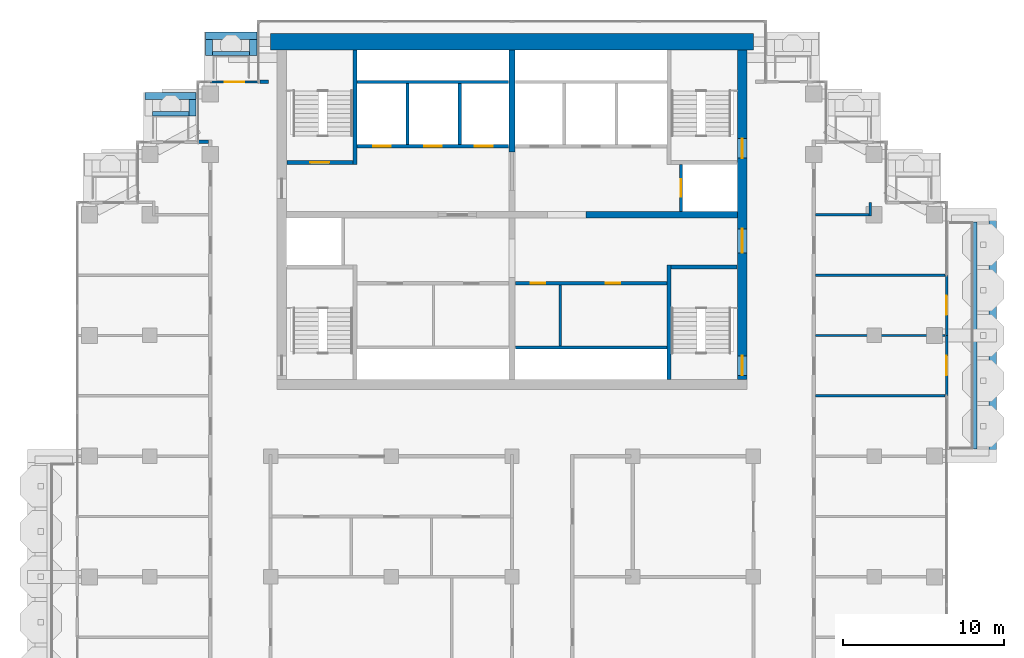
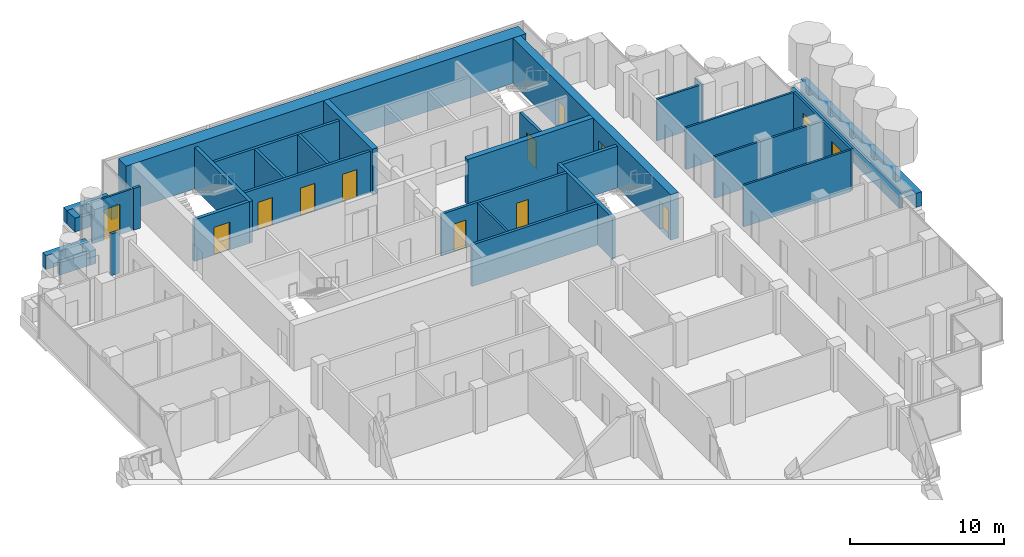
# One storey, part 14 of 19: 35 walls, 13 doors, 13 openings.
"""IFC4 building model written with IfcOpenShell, lengths in metres."""

from ifc_helpers import new_model, si_unit, direction, frame, frame_2d, origin, place, context, subcontext, project, spatial, rectangle, extrude, material, layer, layer_set, type_object, element, fill, save


model = new_model("IFC4")

# Units and contexts
model_context = context("Model", 3, precision=1e-05, world=origin(), true_north=direction((0.0, 1.0)))
body_context = subcontext(model_context, "Body", "Model", "MODEL_VIEW")
ifc_project = project(units=[si_unit("LENGTHUNIT", "METRE"), si_unit("AREAUNIT", "SQUARE_METRE"), si_unit("VOLUMEUNIT", "CUBIC_METRE"), si_unit("PLANEANGLEUNIT", "RADIAN"), si_unit("MASSUNIT", "GRAM", prefix="KILO")], contexts=[model_context])

# Site, building, storey
site_placement = place(None, origin())
site = spatial("IfcSite", under=ifc_project, at=site_placement, CompositionType="ELEMENT")
building_placement = place(site_placement, origin())
building = spatial("IfcBuilding", under=site, at=building_placement, Name="Pilkhan Gate Tower", CompositionType="ELEMENT")
storey_placement = place(building_placement, frame((0.0, 0.0, 224.699951171875)))
storey = spatial("IfcBuildingStorey", under=building, at=storey_placement, Name="L58", CompositionType="ELEMENT", Elevation=224.699951171875)

# Walls
ifc_material_1 = material(Name="Concrete C40/50", Category="concrete")
ifc_layer_1 = layer(ifc_material_1, 0.25)
ifc_layer_set_1 = layer_set([ifc_layer_1], Name="Balcony planter BP250")
wall_type_1 = type_object("IfcWallType", Name="Balcony planter BP250", PredefinedType="USERDEFINED", material=ifc_layer_set_1)
wall_1_placement = place(storey_placement, frame((103.77490234375, 67.949951171875, 0.0), z_axis=(0.0, 0.0, 1.0), x_axis=(0.0, 1.0, 0.0)))
element("IfcWall", 1, at=wall_1_placement, inside=storey, type_object=wall_type_1, Name="Balcony planter L58 E", ObjectType="BALCONY PLANTER", PredefinedType="USERDEFINED", context=body_context, shape_type="SweptSolid", body=[
    extrude(rectangle(XDim=14.10009765625, YDim=0.25, at=frame_2d((7.050048828125, 0.0))), origin(), (0.0, 0.0, 1.0), 1.0),
])
wall_2_placement = place(storey_placement, frame((56.39990234375, 92.52490234375, 0.0), z_axis=(0.0, 0.0, 1.0), x_axis=(1.0, 0.0, 0.0)))
element("IfcWall", 2, at=wall_2_placement, inside=storey, type_object=wall_type_1, Name="Balcony planter L58 N", ObjectType="BALCONY PLANTER", PredefinedType="USERDEFINED", context=body_context, shape_type="SweptSolid", body=[
    extrude(rectangle(XDim=2.300048828125, YDim=0.25, at=frame_2d((1.14990234375, 0.0))), origin(), (0.0, 0.0, 1.0), 1.0),
])
wall_3_placement = place(storey_placement, frame((52.64990234375, 88.77490234375, 0.0), z_axis=(0.0, 0.0, 1.0), x_axis=(1.0, 0.0, 0.0)))
element("IfcWall", 3, at=wall_3_placement, inside=storey, type_object=wall_type_1, Name="Balcony planter L58 N", ObjectType="BALCONY PLANTER", PredefinedType="USERDEFINED", context=body_context, shape_type="SweptSolid", body=[
    extrude(rectangle(XDim=2.280029296875, YDim=0.25, at=frame_2d((1.14013671875, 0.0))), origin(), (0.0, 0.0, 1.0), 1.0),
])
ifc_material_2 = material(Name="Board-marked Concrete C40/50", Category="concrete")
ifc_layer_2 = layer(ifc_material_2, 0.449951171875)
ifc_layer_set_2 = layer_set([ifc_layer_2], Name="Balcony planter lip BL450")
wall_type_2 = type_object("IfcWallType", Name="Balcony planter lip BL450", PredefinedType="USERDEFINED", material=ifc_layer_set_2)
wall_4_placement = place(storey_placement, frame((104.875, 67.5, 0.0), z_axis=(0.0, 0.0, 1.0), x_axis=(0.0, 1.0, 0.0)))
element("IfcWall", 4, at=wall_4_placement, inside=storey, type_object=wall_type_2, Name="Balcony planter L58 E", ObjectType="BALCONY PLANTER", PredefinedType="USERDEFINED", context=body_context, shape_type="SweptSolid", body=[
    extrude(rectangle(XDim=15.0, YDim=0.449951171875, at=frame_2d((7.5, 0.0))), origin(), (0.0, 0.0, 1.0), 1.10009765625),
])
wall_5_placement = place(storey_placement, frame((55.949951171875, 93.625, 0.0), z_axis=(0.0, 0.0, 1.0), x_axis=(1.0, 0.0, 0.0)))
element("IfcWall", 5, at=wall_5_placement, inside=storey, type_object=wall_type_2, Name="Balcony planter L58 N", ObjectType="BALCONY PLANTER", PredefinedType="USERDEFINED", context=body_context, shape_type="SweptSolid", body=[
    extrude(rectangle(XDim=3.199951171875, YDim=0.449951171875, at=frame_2d((1.60009765625, 0.0))), origin(), (0.0, 0.0, 1.0), 1.10009765625),
])
for number, where, z_axis, x_axis, name in (
    (6, (56.175048828125, 92.39990234375, 0.0), (0.0, 0.0, 1.0), (0.0, 1.0, 0.0), "Balcony planter L58 N"),
    (7, (58.925048828125, 92.39990234375, 0.0), (0.0, 0.0, 1.0), (0.0, 1.0, 0.0), "Balcony planter L58 N"),
):
    element("IfcWall", number, at=place(storey_placement, frame(where, z_axis=z_axis, x_axis=x_axis)), inside=storey, type_object=wall_type_2, Name=name, ObjectType="BALCONY PLANTER", PredefinedType="USERDEFINED", context=body_context, shape_type="SweptSolid", body=[
        extrude(rectangle(XDim=1.0, YDim=0.449951171875, at=frame_2d((0.5, 0.0))), origin(), (0.0, 0.0, 1.0), 1.10009765625),
    ])
wall_6_placement = place(storey_placement, frame((52.199951171875, 89.875, 0.0), z_axis=(0.0, 0.0, 1.0), x_axis=(1.0, 0.0, 0.0)))
element("IfcWall", 8, at=wall_6_placement, inside=storey, type_object=wall_type_2, Name="Balcony planter L58 N", ObjectType="BALCONY PLANTER", PredefinedType="USERDEFINED", context=body_context, shape_type="SweptSolid", body=[
    extrude(rectangle(XDim=3.179931640625, YDim=0.449951171875, at=frame_2d((1.58984375, 0.0))), origin(), (0.0, 0.0, 1.0), 1.10009765625),
])
wall_7_placement = place(storey_placement, frame((55.155029296875, 88.64990234375, 0.0), z_axis=(0.0, 0.0, 1.0), x_axis=(0.0, 1.0, 0.0)))
element("IfcWall", 9, at=wall_7_placement, inside=storey, type_object=wall_type_2, Name="Balcony planter L58 N", ObjectType="BALCONY PLANTER", PredefinedType="USERDEFINED", context=body_context, shape_type="SweptSolid", body=[
    extrude(rectangle(XDim=1.0, YDim=0.449951171875, at=frame_2d((0.5, 0.0))), origin(), (0.0, 0.0, 1.0), 1.10009765625),
])
ifc_material_3 = material(Name="Concrete C50/60", Category="concrete")
ifc_layer_3 = layer(ifc_material_3, 1.0)
ifc_layer_set_3 = layer_set([ifc_layer_3], Name="Core wall CW1000 C50/60")
wall_type_3 = type_object("IfcWallType", Name="Core wall CW1000 C50/60", PredefinedType="SHEAR", material=ifc_layer_set_3)
wall_8_placement = place(storey_placement, frame((90.0, 93.25, 0.0), z_axis=(0.0, 0.0, 1.0), x_axis=(-1.0, 0.0, 0.0)))
element("IfcWall", 10, at=wall_8_placement, inside=storey, type_object=wall_type_3, Name="Core wall N L58", PredefinedType="SHEAR", context=body_context, shape_type="SweptSolid", body=[
    extrude(rectangle(XDim=30.0, YDim=1.0, at=frame_2d((15.0, 0.0))), origin(), (0.0, 0.0, 1.0), 3.60009765625),
])

# Wall, openings, doors
ifc_layer_4 = layer(ifc_material_3, 0.60009765625)
ifc_layer_set_4 = layer_set([ifc_layer_4], Name="Core wall CW600 C50/60")
wall_type_4 = type_object("IfcWallType", Name="Core wall CW600 C50/60", PredefinedType="SHEAR", material=ifc_layer_set_4)
wall_9_placement = place(storey_placement, frame((89.300048828125, 72.25, 0.0), z_axis=(0.0, 0.0, 1.0), x_axis=(0.0, 1.0, 0.0)))
wall_9 = element("IfcWall", 11, at=wall_9_placement, inside=storey, type_object=wall_type_4, Name="Core wall E L58", PredefinedType="SHEAR", context=body_context, shape_type="SweptSolid", body=[
    extrude(rectangle(XDim=20.5, YDim=0.60009765625, at=frame_2d((10.25, 0.0))), origin(), (0.0, 0.0, 1.0), 3.60009765625),
])
opening_1_placement = place(wall_9_placement, frame((0.27490234375, 0.0, 0.0)))
opening_1 = element("IfcOpeningElement", 12, at=opening_1_placement, cuts=wall_9, Name="Opening L58-03", PredefinedType="OPENING", context=body_context, shape_type="SweptSolid", body=[
    extrude(rectangle(XDim=1.199951171875, YDim=2.199951171875, at=frame_2d((0.60009765625, 1.10009765625))), frame((0.0, 0.31005859375, 0.0), z_axis=(0.0, -1.0, 0.0), x_axis=(1.0, 0.0, 0.0)), (0.0, 0.0, 1.0), 0.6201171875),
])
opening_2_placement = place(wall_9_placement, frame((13.77490234375, 0.0, 0.0)))
opening_2 = element("IfcOpeningElement", 13, at=opening_2_placement, cuts=wall_9, Name="Opening L58-05", PredefinedType="OPENING", context=body_context, shape_type="SweptSolid", body=[
    extrude(rectangle(XDim=1.199951171875, YDim=2.199951171875, at=frame_2d((0.60009765625, 1.10009765625))), frame((0.0, 0.31005859375, 0.0), z_axis=(0.0, -1.0, 0.0), x_axis=(1.0, 0.0, 0.0)), (0.0, 0.0, 1.0), 0.6201171875),
])
opening_3_placement = place(wall_9_placement, frame((7.875, 0.0, 0.0)))
opening_3 = element("IfcOpeningElement", 14, at=opening_3_placement, cuts=wall_9, Name="Opening L58-06", PredefinedType="OPENING", context=body_context, shape_type="SweptSolid", body=[
    extrude(rectangle(XDim=1.5, YDim=2.199951171875, at=frame_2d((0.75, 1.10009765625))), frame((0.0, 0.31005859375, 0.0), z_axis=(0.0, -1.0, 0.0), x_axis=(1.0, 0.0, 0.0)), (0.0, 0.0, 1.0), 0.6201171875),
])
ifc_material_4 = material(Name="Steel framed glazed door, 60 minute fire resisting", Category="steel")
door_type_1 = type_object("IfcDoorType", Name="Lobby door D09 1500x2200", OperationType="DOUBLE_DOOR_SINGLE_SWING", PredefinedType="DOOR", material=ifc_material_4)
door_1_placement = place(opening_3_placement, origin())
door_1 = element("IfcDoor", 15, at=door_1_placement, inside=storey, type_object=door_type_1, Name="Core door", OperationType="DOUBLE_DOOR_SINGLE_SWING", OverallHeight=2.199951171875, OverallWidth=1.5, PredefinedType="DOOR", context=body_context, shape_type="SweptSolid", body=[
    extrude(rectangle(XDim=1.5, YDim=2.199951171875, at=frame_2d((0.75, 1.10009765625))), frame((0.0, 0.02490234375, 0.0), z_axis=(0.0, -1.0, 0.0), x_axis=(1.0, 0.0, 0.0)), (0.0, 0.0, 1.0), 0.050048828125),
])
fill(opening_3, door_1)
ifc_material_5 = material(Name="Steel door, 120 minute fire resisting, panic bar", Category="steel")
door_type_2 = type_object("IfcDoorType", Name="Stair door D11 1200x2200", OperationType="SINGLE_SWING_LEFT", PredefinedType="DOOR", material=ifc_material_5)
door_2_placement = place(opening_1_placement, origin())
door_2 = element("IfcDoor", 16, at=door_2_placement, inside=storey, type_object=door_type_2, Name="Stair ST1 door", OperationType="SINGLE_SWING_LEFT", OverallHeight=2.199951171875, OverallWidth=1.199951171875, PredefinedType="DOOR", context=body_context, shape_type="SweptSolid", body=[
    extrude(rectangle(XDim=1.199951171875, YDim=2.199951171875, at=frame_2d((0.60009765625, 1.10009765625))), frame((0.0, 0.02490234375, 0.0), z_axis=(0.0, -1.0, 0.0), x_axis=(1.0, 0.0, 0.0)), (0.0, 0.0, 1.0), 0.050048828125),
])
fill(opening_1, door_2)
door_3_placement = place(opening_2_placement, origin())
door_3 = element("IfcDoor", 17, at=door_3_placement, inside=storey, type_object=door_type_2, Name="Stair ST4 door", OperationType="SINGLE_SWING_LEFT", OverallHeight=2.199951171875, OverallWidth=1.199951171875, PredefinedType="DOOR", context=body_context, shape_type="SweptSolid", body=[
    extrude(rectangle(XDim=1.199951171875, YDim=2.199951171875, at=frame_2d((0.60009765625, 1.10009765625))), frame((0.0, 0.02490234375, 0.0), z_axis=(0.0, -1.0, 0.0), x_axis=(1.0, 0.0, 0.0)), (0.0, 0.0, 1.0), 0.050048828125),
])
fill(opening_2, door_3)

# Walls
ifc_material_6 = material(Name="Dense blockwork", Category="masonry")
ifc_layer_5 = layer(ifc_material_6, 0.199951171875)
ifc_layer_set_5 = layer_set([ifc_layer_5], Name="Corridor wall FW200")
wall_type_5 = type_object("IfcWallType", Name="Corridor wall FW200", PredefinedType="PARTITIONING", material=ifc_layer_set_5)
wall_10_placement = place(storey_placement, frame((55.510009765625, 87.030029296875, 0.0), z_axis=(0.0, 0.0, 1.0), x_axis=(1.0, 0.0, 0.0)))
element("IfcWall", 18, at=wall_10_placement, inside=storey, type_object=wall_type_5, Name="Partition L58", PredefinedType="PARTITIONING", context=body_context, shape_type="SweptSolid", body=[
    extrude(rectangle(XDim=0.639892578125, YDim=0.199951171875, at=frame_2d((0.31982421875, 0.0))), origin(), (0.0, 0.0, 1.0), 3.300048828125),
])
wall_11_placement = place(storey_placement, frame((59.35498046875, 90.764892578125, 0.0), z_axis=(0.0, 0.0, 1.0), x_axis=(1.0, 0.0, 0.0)))
element("IfcWall", 19, at=wall_11_placement, inside=storey, type_object=wall_type_5, Name="Partition L58", PredefinedType="PARTITIONING", context=body_context, shape_type="SweptSolid", body=[
    extrude(rectangle(XDim=0.52490234375, YDim=0.199951171875, at=frame_2d((0.262451171875, 0.0))), origin(), (0.0, 0.0, 1.0), 3.300048828125),
])

# Wall, opening, door
ifc_material_7 = material(Name="Pale anodised aluminium, clear laminated glazing", Category="aluminium")
ifc_layer_6 = layer(ifc_material_7, 0.14990234375)
ifc_layer_set_6 = layer_set([ifc_layer_6], Name="Facade infill wall IW150")
wall_type_6 = type_object("IfcWallType", Name="Facade infill wall IW150", PredefinedType="SOLIDWALL", material=ifc_layer_set_6)
wall_12_placement = place(storey_placement, frame((102.0, 71.25, 0.0), z_axis=(0.0, 0.0, 1.0), x_axis=(0.0, 1.0, 0.0)))
wall_12 = element("IfcWall", 20, at=wall_12_placement, inside=storey, type_object=wall_type_6, Name="Infill wall L58 E", PredefinedType="SOLIDWALL", context=body_context, shape_type="SweptSolid", body=[
    extrude(rectangle(XDim=3.75, YDim=0.14990234375, at=frame_2d((1.875, 0.0))), origin(), (0.0, 0.0, 1.0), 3.300048828125),
])
opening_4_placement = place(wall_12_placement, frame((1.27490234375, 0.0, 0.0)))
opening_4 = element("IfcOpeningElement", 21, at=opening_4_placement, cuts=wall_12, Name="Opening D1", PredefinedType="OPENING", context=body_context, shape_type="SweptSolid", body=[
    extrude(rectangle(XDim=1.199951171875, YDim=2.39990234375, at=frame_2d((0.60009765625, 1.199951171875))), frame((0.0, 0.0849609375, 0.0), z_axis=(0.0, -1.0, 0.0), x_axis=(1.0, 0.0, 0.0)), (0.0, 0.0, 1.0), 0.169921875),
])
ifc_material_8 = material(Name="Pale anodised aluminium, clear glazing", Category="aluminium")
door_type_3 = type_object("IfcDoorType", Name="Balcony door D1 1200x2400", OperationType="SINGLE_SWING_LEFT", PredefinedType="DOOR", material=ifc_material_8)
door_4_placement = place(opening_4_placement, origin())
door_4 = element("IfcDoor", 22, at=door_4_placement, inside=storey, type_object=door_type_3, Name="Balcony door L58", OperationType="SINGLE_SWING_LEFT", OverallHeight=2.39990234375, OverallWidth=1.199951171875, PredefinedType="DOOR", context=body_context, shape_type="SweptSolid", body=[
    extrude(rectangle(XDim=1.199951171875, YDim=2.39990234375, at=frame_2d((0.60009765625, 1.199951171875))), frame((0.0, 0.02490234375, 0.0), z_axis=(0.0, -1.0, 0.0), x_axis=(1.0, 0.0, 0.0)), (0.0, 0.0, 1.0), 0.050048828125),
])
fill(opening_4, door_4)

wall_13_placement = place(storey_placement, frame((102.0, 75.0, 0.0), z_axis=(0.0, 0.0, 1.0), x_axis=(0.0, 1.0, 0.0)))
wall_13 = element("IfcWall", 23, at=wall_13_placement, inside=storey, type_object=wall_type_6, Name="Infill wall L58 E", PredefinedType="SOLIDWALL", context=body_context, shape_type="SweptSolid", body=[
    extrude(rectangle(XDim=3.75, YDim=0.14990234375, at=frame_2d((1.875, 0.0))), origin(), (0.0, 0.0, 1.0), 3.300048828125),
])
opening_5_placement = place(wall_13_placement, frame((1.27490234375, 0.0, 0.0)))
opening_5 = element("IfcOpeningElement", 24, at=opening_5_placement, cuts=wall_13, Name="Opening D1", PredefinedType="OPENING", context=body_context, shape_type="SweptSolid", body=[
    extrude(rectangle(XDim=1.199951171875, YDim=2.39990234375, at=frame_2d((0.60009765625, 1.199951171875))), frame((0.0, 0.0849609375, 0.0), z_axis=(0.0, -1.0, 0.0), x_axis=(1.0, 0.0, 0.0)), (0.0, 0.0, 1.0), 0.169921875),
])
door_5_placement = place(opening_5_placement, origin())
door_5 = element("IfcDoor", 25, at=door_5_placement, inside=storey, type_object=door_type_3, Name="Balcony door L58", OperationType="SINGLE_SWING_LEFT", OverallHeight=2.39990234375, OverallWidth=1.199951171875, PredefinedType="DOOR", context=body_context, shape_type="SweptSolid", body=[
    extrude(rectangle(XDim=1.199951171875, YDim=2.39990234375, at=frame_2d((0.60009765625, 1.199951171875))), frame((0.0, 0.02490234375, 0.0), z_axis=(0.0, -1.0, 0.0), x_axis=(1.0, 0.0, 0.0)), (0.0, 0.0, 1.0), 0.050048828125),
])
fill(opening_5, door_5)

wall_14_placement = place(storey_placement, frame((56.25, 90.75, 0.0), z_axis=(0.0, 0.0, 1.0), x_axis=(1.0, 0.0, 0.0)))
wall_14 = element("IfcWall", 26, at=wall_14_placement, inside=storey, type_object=wall_type_6, Name="Infill wall L58 N", PredefinedType="SOLIDWALL", context=body_context, shape_type="SweptSolid", body=[
    extrude(rectangle(XDim=3.0, YDim=0.14990234375, at=frame_2d((1.5, 0.0))), origin(), (0.0, 0.0, 1.0), 3.300048828125),
])
opening_6_placement = place(wall_14_placement, frame((0.89990234375, 0.0, 0.0)))
opening_6 = element("IfcOpeningElement", 27, at=opening_6_placement, cuts=wall_14, Name="Opening D1", PredefinedType="OPENING", context=body_context, shape_type="SweptSolid", body=[
    extrude(rectangle(XDim=1.199951171875, YDim=2.39990234375, at=frame_2d((0.60009765625, 1.199951171875))), frame((0.0, 0.0849609375, 0.0), z_axis=(0.0, -1.0, 0.0), x_axis=(1.0, 0.0, 0.0)), (0.0, 0.0, 1.0), 0.169921875),
])
door_6_placement = place(opening_6_placement, origin())
door_6 = element("IfcDoor", 28, at=door_6_placement, inside=storey, type_object=door_type_3, Name="Balcony door L58", OperationType="SINGLE_SWING_LEFT", OverallHeight=2.39990234375, OverallWidth=1.199951171875, PredefinedType="DOOR", context=body_context, shape_type="SweptSolid", body=[
    extrude(rectangle(XDim=1.199951171875, YDim=2.39990234375, at=frame_2d((0.60009765625, 1.199951171875))), frame((0.0, 0.02490234375, 0.0), z_axis=(0.0, -1.0, 0.0), x_axis=(1.0, 0.0, 0.0)), (0.0, 0.0, 1.0), 0.050048828125),
])
fill(opening_6, door_6)

# Wall
ifc_layer_7 = layer(ifc_material_6, 0.199951171875)
ifc_layer_set_7 = layer_set([ifc_layer_7], Name="Lobby wall LW200")
wall_type_7 = type_object("IfcWallType", Name="Lobby wall LW200", PredefinedType="PARTITIONING", material=ifc_layer_set_7)
wall_15_placement = place(storey_placement, frame((75.2099609375, 74.25, 0.0), z_axis=(0.0, 0.0, 1.0), x_axis=(1.0, 0.0, 0.0)))
element("IfcWall", 29, at=wall_15_placement, inside=storey, type_object=wall_type_7, Name="Partition L58", PredefinedType="PARTITIONING", context=body_context, shape_type="SweptSolid", body=[
    extrude(rectangle(XDim=9.4150390625, YDim=0.199951171875, at=frame_2d((4.70751953125, 0.0))), origin(), (0.0, 0.0, 1.0), 3.300048828125),
])

# Wall, openings, doors
wall_16_placement = place(storey_placement, frame((75.2099609375, 78.25, 0.0), z_axis=(0.0, 0.0, 1.0), x_axis=(1.0, 0.0, 0.0)))
wall_16 = element("IfcWall", 30, at=wall_16_placement, inside=storey, type_object=wall_type_7, Name="Partition L58", PredefinedType="PARTITIONING", context=body_context, shape_type="SweptSolid", body=[
    extrude(rectangle(XDim=9.4150390625, YDim=0.199951171875, at=frame_2d((4.70751953125, 0.0))), origin(), (0.0, 0.0, 1.0), 3.300048828125),
])
opening_7_placement = place(wall_16_placement, frame((0.949951171875, 0.0, 0.0)))
opening_7 = element("IfcOpeningElement", 31, at=opening_7_placement, cuts=wall_16, Name="Opening L58-10", PredefinedType="OPENING", context=body_context, shape_type="SweptSolid", body=[
    extrude(rectangle(XDim=0.89990234375, YDim=2.199951171875, at=frame_2d((0.449951171875, 1.10009765625))), frame((0.0, 0.10986328125, 0.0), z_axis=(0.0, -1.0, 0.0), x_axis=(1.0, 0.0, 0.0)), (0.0, 0.0, 1.0), 0.219970703125),
])
opening_8_placement = place(wall_16_placement, frame((5.6298828125, 0.0, 0.0)))
opening_8 = element("IfcOpeningElement", 32, at=opening_8_placement, cuts=wall_16, Name="Opening L58-11", PredefinedType="OPENING", context=body_context, shape_type="SweptSolid", body=[
    extrude(rectangle(XDim=0.89990234375, YDim=2.199951171875, at=frame_2d((0.449951171875, 1.10009765625))), frame((0.0, 0.10986328125, 0.0), z_axis=(0.0, -1.0, 0.0), x_axis=(1.0, 0.0, 0.0)), (0.0, 0.0, 1.0), 0.219970703125),
])
ifc_material_9 = material(Name="Timber flush door, 60 minute fire resisting, self-closing", Category="wood")
door_type_4 = type_object("IfcDoorType", Name="Store door D05 900x2200", OperationType="SINGLE_SWING_LEFT", PredefinedType="DOOR", material=ifc_material_9)
door_7_placement = place(opening_7_placement, origin())
door_7 = element("IfcDoor", 33, at=door_7_placement, inside=storey, type_object=door_type_4, Name="Store door", OperationType="SINGLE_SWING_LEFT", OverallHeight=2.199951171875, OverallWidth=0.89990234375, PredefinedType="DOOR", context=body_context, shape_type="SweptSolid", body=[
    extrude(rectangle(XDim=0.89990234375, YDim=2.199951171875, at=frame_2d((0.449951171875, 1.10009765625))), frame((0.0, 0.02490234375, 0.0), z_axis=(0.0, -1.0, 0.0), x_axis=(1.0, 0.0, 0.0)), (0.0, 0.0, 1.0), 0.050048828125),
])
fill(opening_7, door_7)
door_8_placement = place(opening_8_placement, origin())
door_8 = element("IfcDoor", 34, at=door_8_placement, inside=storey, type_object=door_type_4, Name="Store door", OperationType="SINGLE_SWING_RIGHT", OverallHeight=2.199951171875, OverallWidth=0.89990234375, PredefinedType="DOOR", context=body_context, shape_type="SweptSolid", body=[
    extrude(rectangle(XDim=0.89990234375, YDim=2.199951171875, at=frame_2d((0.449951171875, 1.10009765625))), frame((0.0, 0.02490234375, 0.0), z_axis=(0.0, -1.0, 0.0), x_axis=(1.0, 0.0, 0.0)), (0.0, 0.0, 1.0), 0.050048828125),
])
fill(opening_8, door_8)

# Walls
ifc_material_10 = material(Name="Blockwork partition, plastered both sides", Category="masonry")
ifc_layer_8 = layer(ifc_material_10, 0.14990234375)
ifc_layer_set_8 = layer_set([ifc_layer_8], Name="Partition PW150")
wall_type_8 = type_object("IfcWallType", Name="Partition PW150", PredefinedType="PARTITIONING", material=ifc_layer_set_8)
for number, where, z_axis, x_axis, name in (
    (35, (93.85009765625, 71.25, 0.0), (0.0, 0.0, 1.0), (1.0, 0.0, 0.0), "Partition L58"),
    (36, (93.85009765625, 75.0, 0.0), (0.0, 0.0, 1.0), (1.0, 0.0, 0.0), "Partition L58"),
    (37, (93.85009765625, 78.75, 0.0), (0.0, 0.0, 1.0), (1.0, 0.0, 0.0), "Partition L58"),
):
    element("IfcWall", number, at=place(storey_placement, frame(where, z_axis=z_axis, x_axis=x_axis)), inside=storey, type_object=wall_type_8, Name=name, PredefinedType="PARTITIONING", context=body_context, shape_type="SweptSolid", body=[
        extrude(rectangle(XDim=8.06494140625, YDim=0.14990234375, at=frame_2d((4.032470703125, 0.0))), origin(), (0.0, 0.0, 1.0), 3.300048828125),
    ])
wall_17_placement = place(storey_placement, frame((93.85009765625, 82.5, 0.0), z_axis=(0.0, 0.0, 1.0), x_axis=(1.0, 0.0, 0.0)))
element("IfcWall", 38, at=wall_17_placement, inside=storey, type_object=wall_type_8, Name="Partition L58", PredefinedType="PARTITIONING", context=body_context, shape_type="SweptSolid", body=[
    extrude(rectangle(XDim=3.33984375, YDim=0.14990234375, at=frame_2d((1.669921875, 0.0))), origin(), (0.0, 0.0, 1.0), 3.300048828125),
])
wall_18_placement = place(storey_placement, frame((77.989990234375, 74.35009765625, 0.0), z_axis=(0.0, 0.0, 1.0), x_axis=(0.0, 1.0, 0.0)))
element("IfcWall", 39, at=wall_18_placement, inside=storey, type_object=wall_type_8, Name="Partition L58", PredefinedType="PARTITIONING", context=body_context, shape_type="SweptSolid", body=[
    extrude(rectangle(XDim=3.7998046875, YDim=0.14990234375, at=frame_2d((1.89990234375, 0.0))), origin(), (0.0, 0.0, 1.0), 3.300048828125),
])
wall_19_placement = place(storey_placement, frame((97.264892578125, 82.425048828125, 0.0), z_axis=(0.0, 0.0, 1.0), x_axis=(0.0, 1.0, 0.0)))
element("IfcWall", 40, at=wall_19_placement, inside=storey, type_object=wall_type_8, Name="Partition L58", PredefinedType="PARTITIONING", context=body_context, shape_type="SweptSolid", body=[
    extrude(rectangle(XDim=0.83984375, YDim=0.14990234375, at=frame_2d((0.419921875, 0.0))), origin(), (0.0, 0.0, 1.0), 3.300048828125),
])

# Wall, openings, doors
ifc_material_11 = material(Name="Reinforced blockwork shaft wall, 120 minute fire resisting", Category="masonry")
ifc_layer_9 = layer(ifc_material_11, 0.199951171875)
ifc_layer_set_9 = layer_set([ifc_layer_9], Name="Shaft wall SW200")
wall_type_9 = type_object("IfcWallType", Name="Shaft wall SW200", PredefinedType="PARTITIONING", material=ifc_layer_set_9)
wall_20_placement = place(storey_placement, frame((65.375, 86.75, 0.0), z_axis=(0.0, 0.0, 1.0), x_axis=(1.0, 0.0, 0.0)))
wall_20 = element("IfcWall", 41, at=wall_20_placement, inside=storey, type_object=wall_type_9, Name="Partition L58", PredefinedType="PARTITIONING", context=body_context, shape_type="SweptSolid", body=[
    extrude(rectangle(XDim=9.4150390625, YDim=0.199951171875, at=frame_2d((4.70751953125, 0.0))), origin(), (0.0, 0.0, 1.0), 3.300048828125),
])
opening_9_placement = place(wall_20_placement, frame((1.0, 0.0, 0.0)))
opening_9 = element("IfcOpeningElement", 42, at=opening_9_placement, cuts=wall_20, Name="Opening LD", PredefinedType="OPENING", context=body_context, shape_type="SweptSolid", body=[
    extrude(rectangle(XDim=1.10009765625, YDim=2.199951171875, at=frame_2d((0.550048828125, 1.10009765625))), frame((0.0, 0.10986328125, 0.0), z_axis=(0.0, -1.0, 0.0), x_axis=(1.0, 0.0, 0.0)), (0.0, 0.0, 1.0), 0.219970703125),
])
opening_10_placement = place(wall_20_placement, frame((4.175048828125, 0.0, 0.0)))
opening_10 = element("IfcOpeningElement", 43, at=opening_10_placement, cuts=wall_20, Name="Opening LD", PredefinedType="OPENING", context=body_context, shape_type="SweptSolid", body=[
    extrude(rectangle(XDim=1.10009765625, YDim=2.199951171875, at=frame_2d((0.550048828125, 1.10009765625))), frame((0.0, 0.10986328125, 0.0), z_axis=(0.0, -1.0, 0.0), x_axis=(1.0, 0.0, 0.0)), (0.0, 0.0, 1.0), 0.219970703125),
])
opening_11_placement = place(wall_20_placement, frame((7.324951171875, 0.0, 0.0)))
opening_11 = element("IfcOpeningElement", 44, at=opening_11_placement, cuts=wall_20, Name="Opening LD", PredefinedType="OPENING", context=body_context, shape_type="SweptSolid", body=[
    extrude(rectangle(XDim=1.10009765625, YDim=2.199951171875, at=frame_2d((0.550048828125, 1.10009765625))), frame((0.0, 0.10986328125, 0.0), z_axis=(0.0, -1.0, 0.0), x_axis=(1.0, 0.0, 0.0)), (0.0, 0.0, 1.0), 0.219970703125),
])
ifc_material_12 = material(Name="Stainless steel centre-opening landing door, 120 minute fire resisting", Category="steel")
door_type_5 = type_object("IfcDoorType", Name="Lift landing door LD 1100x2200", OperationType="DOUBLE_DOOR_SLIDING", PredefinedType="DOOR", material=ifc_material_12)
door_9_placement = place(opening_9_placement, origin())
door_9 = element("IfcDoor", 45, at=door_9_placement, inside=storey, type_object=door_type_5, Name="Landing door FF1", OperationType="DOUBLE_DOOR_SLIDING", OverallHeight=2.199951171875, OverallWidth=1.10009765625, PredefinedType="DOOR", context=body_context, shape_type="SweptSolid", body=[
    extrude(rectangle(XDim=1.10009765625, YDim=2.199951171875, at=frame_2d((0.550048828125, 1.10009765625))), frame((0.0, 0.02490234375, 0.0), z_axis=(0.0, -1.0, 0.0), x_axis=(1.0, 0.0, 0.0)), (0.0, 0.0, 1.0), 0.050048828125),
])
fill(opening_9, door_9)
door_10_placement = place(opening_10_placement, origin())
door_10 = element("IfcDoor", 46, at=door_10_placement, inside=storey, type_object=door_type_5, Name="Landing door FF2", OperationType="DOUBLE_DOOR_SLIDING", OverallHeight=2.199951171875, OverallWidth=1.10009765625, PredefinedType="DOOR", context=body_context, shape_type="SweptSolid", body=[
    extrude(rectangle(XDim=1.10009765625, YDim=2.199951171875, at=frame_2d((0.550048828125, 1.10009765625))), frame((0.0, 0.02490234375, 0.0), z_axis=(0.0, -1.0, 0.0), x_axis=(1.0, 0.0, 0.0)), (0.0, 0.0, 1.0), 0.050048828125),
])
fill(opening_10, door_10)
door_11_placement = place(opening_11_placement, origin())
door_11 = element("IfcDoor", 47, at=door_11_placement, inside=storey, type_object=door_type_5, Name="Landing door SV1", OperationType="DOUBLE_DOOR_SLIDING", OverallHeight=2.199951171875, OverallWidth=1.10009765625, PredefinedType="DOOR", context=body_context, shape_type="SweptSolid", body=[
    extrude(rectangle(XDim=1.10009765625, YDim=2.199951171875, at=frame_2d((0.550048828125, 1.10009765625))), frame((0.0, 0.02490234375, 0.0), z_axis=(0.0, -1.0, 0.0), x_axis=(1.0, 0.0, 0.0)), (0.0, 0.0, 1.0), 0.050048828125),
])
fill(opening_11, door_11)

# Walls
wall_21_placement = place(storey_placement, frame((65.375, 90.75, 0.0), z_axis=(0.0, 0.0, 1.0), x_axis=(1.0, 0.0, 0.0)))
element("IfcWall", 48, at=wall_21_placement, inside=storey, type_object=wall_type_9, Name="Partition L58", PredefinedType="PARTITIONING", context=body_context, shape_type="SweptSolid", body=[
    extrude(rectangle(XDim=9.4150390625, YDim=0.199951171875, at=frame_2d((4.70751953125, 0.0))), origin(), (0.0, 0.0, 1.0), 3.300048828125),
])
for number, where, z_axis, x_axis, name in (
    (49, (68.5, 86.85009765625, 0.0), (0.0, 0.0, 1.0), (0.0, 1.0, 0.0), "Partition L58"),
    (50, (71.75, 86.85009765625, 0.0), (0.0, 0.0, 1.0), (0.0, 1.0, 0.0), "Partition L58"),
):
    element("IfcWall", number, at=place(storey_placement, frame(where, z_axis=z_axis, x_axis=x_axis)), inside=storey, type_object=wall_type_9, Name=name, PredefinedType="PARTITIONING", context=body_context, shape_type="SweptSolid", body=[
        extrude(rectangle(XDim=3.7998046875, YDim=0.199951171875, at=frame_2d((1.89990234375, 0.0))), origin(), (0.0, 0.0, 1.0), 3.300048828125),
    ])

# Wall, opening, door
wall_22_placement = place(storey_placement, frame((85.5, 82.7099609375, 0.0), z_axis=(0.0, 0.0, 1.0), x_axis=(0.0, 1.0, 0.0)))
wall_22 = element("IfcWall", 51, at=wall_22_placement, inside=storey, type_object=wall_type_9, Name="Partition L58", PredefinedType="PARTITIONING", context=body_context, shape_type="SweptSolid", body=[
    extrude(rectangle(XDim=2.9150390625, YDim=0.199951171875, at=frame_2d((1.45751953125, 0.0))), origin(), (0.0, 0.0, 1.0), 3.300048828125),
])
opening_12_placement = place(wall_22_placement, frame((0.89990234375, 0.0, 0.0)))
opening_12 = element("IfcOpeningElement", 52, at=opening_12_placement, cuts=wall_22, Name="Opening LD", PredefinedType="OPENING", context=body_context, shape_type="SweptSolid", body=[
    extrude(rectangle(XDim=1.10009765625, YDim=2.199951171875, at=frame_2d((0.550048828125, 1.10009765625))), frame((0.0, 0.10986328125, 0.0), z_axis=(0.0, -1.0, 0.0), x_axis=(1.0, 0.0, 0.0)), (0.0, 0.0, 1.0), 0.219970703125),
])
door_12_placement = place(opening_12_placement, origin())
door_12 = element("IfcDoor", 53, at=door_12_placement, inside=storey, type_object=door_type_5, Name="Landing door HR4", OperationType="DOUBLE_DOOR_SLIDING", OverallHeight=2.199951171875, OverallWidth=1.10009765625, PredefinedType="DOOR", context=body_context, shape_type="SweptSolid", body=[
    extrude(rectangle(XDim=1.10009765625, YDim=2.199951171875, at=frame_2d((0.550048828125, 1.10009765625))), frame((0.0, 0.02490234375, 0.0), z_axis=(0.0, -1.0, 0.0), x_axis=(1.0, 0.0, 0.0)), (0.0, 0.0, 1.0), 0.050048828125),
])
fill(opening_12, door_12)

# Walls
ifc_layer_10 = layer(ifc_material_3, 0.39990234375)
ifc_layer_set_10 = layer_set([ifc_layer_10], Name="Spine wall SW400 C50/60")
wall_type_10 = type_object("IfcWallType", Name="Spine wall SW400 C50/60", PredefinedType="SHEAR", material=ifc_layer_set_10)
wall_23_placement = place(storey_placement, frame((79.60009765625, 82.5, 0.0), z_axis=(0.0, 0.0, 1.0), x_axis=(1.0, 0.0, 0.0)))
element("IfcWall", 54, at=wall_23_placement, inside=storey, type_object=wall_type_10, Name="Spine wall SP-EW3 L58", PredefinedType="SHEAR", context=body_context, shape_type="SweptSolid", body=[
    extrude(rectangle(XDim=9.39990234375, YDim=0.39990234375, at=frame_2d((4.699951171875, 0.0))), origin(), (0.0, 0.0, 1.0), 3.60009765625),
])
wall_24_placement = place(storey_placement, frame((75.0, 86.39990234375, 0.0), z_axis=(0.0, 0.0, 1.0), x_axis=(0.0, 1.0, 0.0)))
element("IfcWall", 55, at=wall_24_placement, inside=storey, type_object=wall_type_10, Name="Spine wall SP-NS-N2 L58", PredefinedType="SHEAR", context=body_context, shape_type="SweptSolid", body=[
    extrude(rectangle(XDim=6.35009765625, YDim=0.39990234375, at=frame_2d((3.175048828125, 0.0))), origin(), (0.0, 0.0, 1.0), 3.60009765625),
])
ifc_material_13 = material(Name="Reinforced blockwork, 120 minute fire resisting", Category="masonry")
ifc_layer_11 = layer(ifc_material_13, 0.25)
ifc_layer_set_11 = layer_set([ifc_layer_11], Name="Stair enclosure wall SE250")
wall_type_11 = type_object("IfcWallType", Name="Stair enclosure wall SE250", PredefinedType="PARTITIONING", material=ifc_layer_set_11)
wall_25_placement = place(storey_placement, frame((84.875, 79.25, 0.0), z_axis=(0.0, 0.0, 1.0), x_axis=(1.0, 0.0, 0.0)))
element("IfcWall", 56, at=wall_25_placement, inside=storey, type_object=wall_type_11, Name="Partition L58", PredefinedType="PARTITIONING", context=body_context, shape_type="SweptSolid", body=[
    extrude(rectangle(XDim=4.114990234375, YDim=0.25, at=frame_2d((2.0576171875, 0.0))), origin(), (0.0, 0.0, 1.0), 3.300048828125),
])

# Wall, opening, door
wall_26_placement = place(storey_placement, frame((61.010009765625, 85.75, 0.0), z_axis=(0.0, 0.0, 1.0), x_axis=(1.0, 0.0, 0.0)))
wall_26 = element("IfcWall", 57, at=wall_26_placement, inside=storey, type_object=wall_type_11, Name="Partition L58", PredefinedType="PARTITIONING", context=body_context, shape_type="SweptSolid", body=[
    extrude(rectangle(XDim=4.114990234375, YDim=0.25, at=frame_2d((2.0576171875, 0.0))), origin(), (0.0, 0.0, 1.0), 3.300048828125),
])
opening_13_placement = place(wall_26_placement, frame((1.449951171875, 0.0, 0.0)))
opening_13 = element("IfcOpeningElement", 58, at=opening_13_placement, cuts=wall_26, Name="Opening L58-02", PredefinedType="OPENING", context=body_context, shape_type="SweptSolid", body=[
    extrude(rectangle(XDim=1.199951171875, YDim=2.199951171875, at=frame_2d((0.60009765625, 1.10009765625))), frame((0.0, 0.135009765625, 0.0), z_axis=(0.0, -1.0, 0.0), x_axis=(1.0, 0.0, 0.0)), (0.0, 0.0, 1.0), 0.27001953125),
])
door_13_placement = place(opening_13_placement, origin())
door_13 = element("IfcDoor", 59, at=door_13_placement, inside=storey, type_object=door_type_2, Name="Stair ST3 lobby door", OperationType="SINGLE_SWING_LEFT", OverallHeight=2.199951171875, OverallWidth=1.199951171875, PredefinedType="DOOR", context=body_context, shape_type="SweptSolid", body=[
    extrude(rectangle(XDim=1.199951171875, YDim=2.199951171875, at=frame_2d((0.60009765625, 1.10009765625))), frame((0.0, 0.02490234375, 0.0), z_axis=(0.0, -1.0, 0.0), x_axis=(1.0, 0.0, 0.0)), (0.0, 0.0, 1.0), 0.050048828125),
])
fill(opening_13, door_13)

# Walls
for number, where, z_axis, x_axis, name in (
    (60, (65.25, 85.625, 0.0), (0.0, 0.0, 1.0), (0.0, 1.0, 0.0), "Partition L58"),
    (61, (84.75, 72.260009765625, 0.0), (0.0, 0.0, 1.0), (0.0, 1.0, 0.0), "Partition L58"),
):
    element("IfcWall", number, at=place(storey_placement, frame(where, z_axis=z_axis, x_axis=x_axis)), inside=storey, type_object=wall_type_11, Name=name, PredefinedType="PARTITIONING", context=body_context, shape_type="SweptSolid", body=[
        extrude(rectangle(XDim=7.114990234375, YDim=0.25, at=frame_2d((3.5576171875, 0.0))), origin(), (0.0, 0.0, 1.0), 3.300048828125),
    ])

save(model, "model.ifc")
